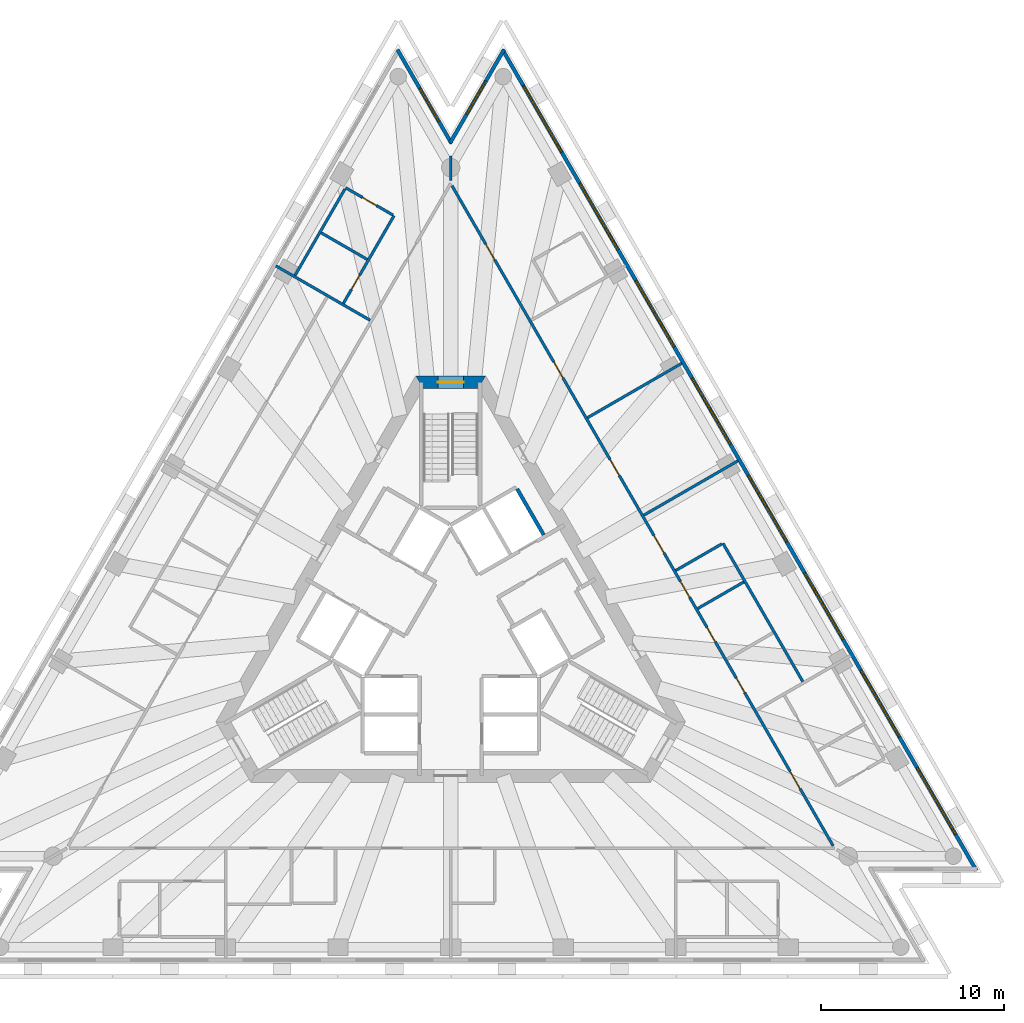
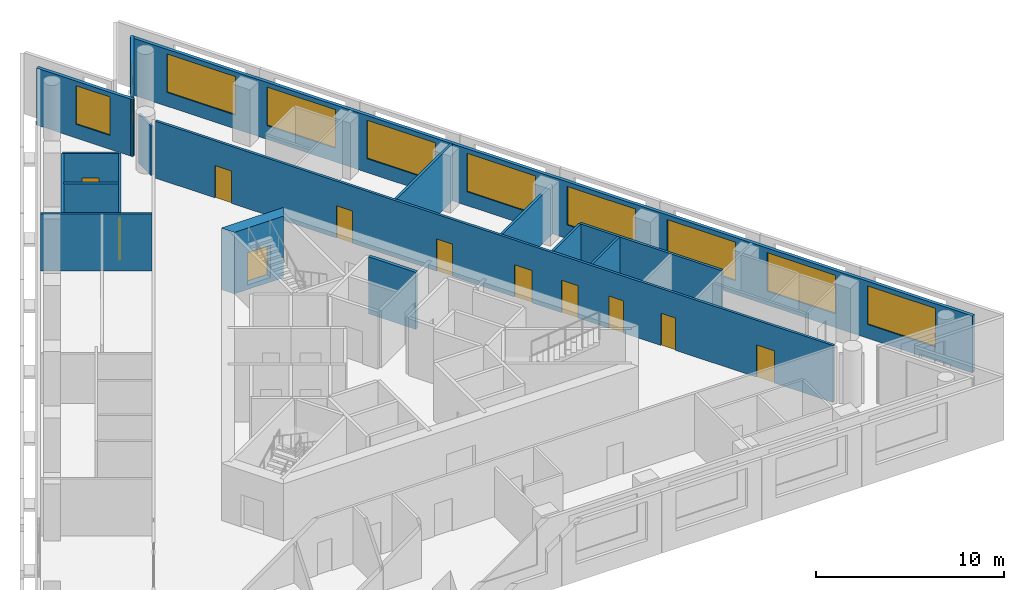
# One storey, part 6 of 9: 17 walls, 11 doors, 10 windows, 21 openings.
"""IFC4 building model written with IfcOpenShell, lengths in metres."""

from ifc_helpers import new_model, si_unit, direction, frame, frame_2d, origin, place, context, subcontext, project, spatial, polyline, rectangle, outline, extrude, material, layer, layer_set, layer_usage, type_object, element, fill, save


model = new_model("IFC4")

# Units and contexts
model_context = context("Model", 3, precision=1e-05, world=origin(), true_north=direction((0.0, 1.0)))
body_context = subcontext(model_context, "Body", "Model", "MODEL_VIEW")
ifc_project = project(units=[si_unit("LENGTHUNIT", "METRE"), si_unit("AREAUNIT", "SQUARE_METRE"), si_unit("VOLUMEUNIT", "CUBIC_METRE"), si_unit("PLANEANGLEUNIT", "RADIAN"), si_unit("MASSUNIT", "GRAM", prefix="KILO")], contexts=[model_context])

# Site, building, storey
site_placement = place(None, origin())
site = spatial("IfcSite", under=ifc_project, at=site_placement, CompositionType="ELEMENT")
building_placement = place(site_placement, origin())
building = spatial("IfcBuilding", under=site, at=building_placement, Name="Triada Interchange Tower", CompositionType="ELEMENT")
storey_placement = place(building_placement, frame((0.0, 0.0, 207.300048828125)))
storey = spatial("IfcBuildingStorey", under=building, at=storey_placement, Name="L48", CompositionType="ELEMENT", Elevation=207.300048828125)

# Wall
ifc_material_1 = material(Name="Concrete C30/37", Category="concrete")
ifc_layer_1 = layer(ifc_material_1, 0.199951171875)
ifc_layer_set_1 = layer_set([ifc_layer_1], Name="CORE WALL 200 EI 120")
wall_type_1 = type_object("IfcWallType", Name="CORE WALL 200 EI 120", PredefinedType="SOLIDWALL", material=ifc_layer_set_1)
wall_1_placement = place(storey_placement, frame((3.6259765625, 7.52001953125, 0.0), z_axis=(0.0, 0.0, 1.0), x_axis=(0.500060147554, -0.865990674793, 0.0)))
element("IfcWall", 1, at=wall_1_placement, inside=storey, type_object=wall_type_1, Name="Wall L47 71", PredefinedType="SOLIDWALL", context=body_context, shape_type="SweptSolid", body=[
    extrude(rectangle(XDim=2.899658203125, YDim=0.199951171875, at=frame_2d((1.44970703125, 0.0))), origin(), (0.0, 0.0, 1.0), 3.699951171875),
])

# Wall, opening, door
ifc_material_2 = material(Name="Concrete C50/60", Category="concrete")
ifc_layer_2 = layer(ifc_material_2, 0.699951171875)
ifc_layer_set_2 = layer_set([ifc_layer_2], Name="Core wall C 700")
wall_type_2 = type_object("IfcWallType", Name="Core wall C 700", PredefinedType="SHEAR", material=ifc_layer_set_2)
wall_2_placement = place(storey_placement, frame((1.702880859375, 13.35009765625, -0.300048828125), z_axis=(0.0, 0.0, 1.0), x_axis=(-1.0, 0.0, 0.0)))
wall_2 = element("IfcWall", 2, at=wall_2_placement, inside=storey, type_object=wall_type_2, Name="Core wall WC01 L48", PredefinedType="SHEAR", context=body_context, shape_type="SweptSolid", body=[
    extrude(outline(polyline([(-0.201904296875, -0.35009765625), (1.703125, -0.35009765625), (3.60791015625, -0.35009765625), (3.2041015625, 0.35009765625), (1.703125, 0.35009765625), (0.201904296875, 0.35009765625), (-0.201904296875, -0.35009765625)])), origin(), (0.0, 0.0, 1.0), 4.0),
])
opening_1_placement = place(wall_2_placement, frame((1.0029296875, 0.0, 0.300048828125)))
opening_1 = element("IfcOpeningElement", 3, at=opening_1_placement, cuts=wall_2, Name="Opening D47-44", PredefinedType="OPENING", context=body_context, shape_type="SweptSolid", body=[
    extrude(rectangle(XDim=1.39990234375, YDim=2.10009765625, at=frame_2d((0.699951171875, 1.050048828125))), frame((0.0, 0.360107421875, 0.0), z_axis=(0.0, -1.0, 0.0), x_axis=(1.0, 0.0, 0.0)), (0.0, 0.0, 1.0), 0.72021484375),
])
ifc_material_3 = material(Name="Steel S235 door leaf", Category="steel")
door_type_1 = type_object("IfcDoorType", Name="STAIR DOOR 1400 EI2 90-C5S200", OperationType="DOUBLE_DOOR_SINGLE_SWING", PredefinedType="DOOR", material=ifc_material_3)
door_1_placement = place(opening_1_placement, origin())
door_1 = element("IfcDoor", 4, at=door_1_placement, inside=storey, type_object=door_type_1, Name="Door D47-44 L48", OperationType="DOUBLE_DOOR_SINGLE_SWING", OverallHeight=2.10009765625, OverallWidth=1.39990234375, PredefinedType="DOOR", context=body_context, shape_type="SweptSolid", body=[
    extrude(rectangle(XDim=1.39990234375, YDim=2.10009765625, at=frame_2d((0.699951171875, 1.050048828125))), frame((0.0, 0.02490234375, 0.0), z_axis=(0.0, -1.0, 0.0), x_axis=(1.0, 0.0, 0.0)), (0.0, 0.0, 1.0), 0.050048828125),
])
fill(opening_1, door_1)

# Wall, openings, windows
ifc_material_4 = material(Name="Cement board")
ifc_layer_3 = layer(ifc_material_4, 0.02001953125, Name="Cement board cladding")
ifc_material_5 = material(Name="Sheathing board")
ifc_layer_4 = layer(ifc_material_5, 0.014892578125, Name="Sheathing board")
ifc_material_6 = material(Name="Mineral wool")
ifc_layer_5 = layer(ifc_material_6, 0.14990234375, Name="Mineral wool between steel studs")
ifc_material_7 = material(Name="Gypsum board")
ifc_layer_6 = layer(ifc_material_7, 0.014892578125, Name="Plasterboard lining")
ifc_layer_set_3 = layer_set([ifc_layer_3, ifc_layer_4, ifc_layer_5, ifc_layer_6], Name="External wall 200")
ifc_layer_usage = layer_usage(ifc_layer_set_3, "AXIS2", "POSITIVE", -0.10009765625)
wall_type_3 = type_object("IfcWallType", Name="External wall 200", PredefinedType="ELEMENTEDWALL", material=ifc_layer_set_3)
wall_3_placement = place(storey_placement, frame((28.7041015625, -13.31103515625, 0.0), z_axis=(0.0, 0.0, 1.0), x_axis=(-0.500010281129, 0.866019467891, 0.0)))
wall_3 = element("IfcWall", 5, at=wall_3_placement, inside=storey, type_object=wall_type_3, material=ifc_layer_usage, Name="External wall L48 NE", PredefinedType="ELEMENTEDWALL", context=body_context, shape_type="SweptSolid", body=[
    extrude(rectangle(XDim=51.7392578125, YDim=0.199951171875, at=frame_2d((25.86962890625, 0.0))), origin(), (0.0, 0.0, 1.0), 3.699951171875),
])
opening_2_placement = place(wall_3_placement, frame((2.27490234375, 0.0, 0.89990234375)))
opening_2 = element("IfcOpeningElement", 6, at=opening_2_placement, cuts=wall_3, Name="Opening WC21", PredefinedType="OPENING", context=body_context, shape_type="SweptSolid", body=[
    extrude(rectangle(XDim=4.199951171875, YDim=2.5, at=frame_2d((2.10009765625, 1.25))), frame((0.0, 0.10986328125, 0.0), z_axis=(0.0, -1.0, 0.0), x_axis=(1.0, 0.0, 0.0)), (0.0, 0.0, 1.0), 0.219970703125),
])
opening_3_placement = place(wall_3_placement, frame((8.4189453125, 0.0, 0.89990234375)))
opening_3 = element("IfcOpeningElement", 7, at=opening_3_placement, cuts=wall_3, Name="Opening WC22", PredefinedType="OPENING", context=body_context, shape_type="SweptSolid", body=[
    extrude(rectangle(XDim=4.199951171875, YDim=2.5, at=frame_2d((2.10009765625, 1.25))), frame((0.0, 0.10986328125, 0.0), z_axis=(0.0, -1.0, 0.0), x_axis=(1.0, 0.0, 0.0)), (0.0, 0.0, 1.0), 0.219970703125),
])
opening_4_placement = place(wall_3_placement, frame((14.56298828125, 0.0, 0.89990234375)))
opening_4 = element("IfcOpeningElement", 8, at=opening_4_placement, cuts=wall_3, Name="Opening WC23", PredefinedType="OPENING", context=body_context, shape_type="SweptSolid", body=[
    extrude(rectangle(XDim=4.199951171875, YDim=2.5, at=frame_2d((2.10009765625, 1.25))), frame((0.0, 0.10986328125, 0.0), z_axis=(0.0, -1.0, 0.0), x_axis=(1.0, 0.0, 0.0)), (0.0, 0.0, 1.0), 0.219970703125),
])
opening_5_placement = place(wall_3_placement, frame((20.70703125, 0.0, 0.89990234375)))
opening_5 = element("IfcOpeningElement", 9, at=opening_5_placement, cuts=wall_3, Name="Opening WC24", PredefinedType="OPENING", context=body_context, shape_type="SweptSolid", body=[
    extrude(rectangle(XDim=4.199951171875, YDim=2.5, at=frame_2d((2.10009765625, 1.25))), frame((0.0, 0.10986328125, 0.0), z_axis=(0.0, -1.0, 0.0), x_axis=(1.0, 0.0, 0.0)), (0.0, 0.0, 1.0), 0.219970703125),
])
opening_6_placement = place(wall_3_placement, frame((26.85205078125, 0.0, 0.89990234375)))
opening_6 = element("IfcOpeningElement", 10, at=opening_6_placement, cuts=wall_3, Name="Opening WC25", PredefinedType="OPENING", context=body_context, shape_type="SweptSolid", body=[
    extrude(rectangle(XDim=4.199951171875, YDim=2.5, at=frame_2d((2.10009765625, 1.25))), frame((0.0, 0.10986328125, 0.0), z_axis=(0.0, -1.0, 0.0), x_axis=(1.0, 0.0, 0.0)), (0.0, 0.0, 1.0), 0.219970703125),
])
opening_7_placement = place(wall_3_placement, frame((32.99609375, 0.0, 0.89990234375)))
opening_7 = element("IfcOpeningElement", 11, at=opening_7_placement, cuts=wall_3, Name="Opening WC26", PredefinedType="OPENING", context=body_context, shape_type="SweptSolid", body=[
    extrude(rectangle(XDim=4.199951171875, YDim=2.5, at=frame_2d((2.10009765625, 1.25))), frame((0.0, 0.10986328125, 0.0), z_axis=(0.0, -1.0, 0.0), x_axis=(1.0, 0.0, 0.0)), (0.0, 0.0, 1.0), 0.219970703125),
])
opening_8_placement = place(wall_3_placement, frame((39.139892578125, 0.0, 0.89990234375)))
opening_8 = element("IfcOpeningElement", 12, at=opening_8_placement, cuts=wall_3, Name="Opening WC27", PredefinedType="OPENING", context=body_context, shape_type="SweptSolid", body=[
    extrude(rectangle(XDim=4.199951171875, YDim=2.5, at=frame_2d((2.10009765625, 1.25))), frame((0.0, 0.10986328125, 0.0), z_axis=(0.0, -1.0, 0.0), x_axis=(1.0, 0.0, 0.0)), (0.0, 0.0, 1.0), 0.219970703125),
])
opening_9_placement = place(wall_3_placement, frame((45.283935546875, 0.0, 0.89990234375)))
opening_9 = element("IfcOpeningElement", 13, at=opening_9_placement, cuts=wall_3, Name="Opening WC28", PredefinedType="OPENING", context=body_context, shape_type="SweptSolid", body=[
    extrude(rectangle(XDim=4.199951171875, YDim=2.5, at=frame_2d((2.10009765625, 1.25))), frame((0.0, 0.10986328125, 0.0), z_axis=(0.0, -1.0, 0.0), x_axis=(1.0, 0.0, 0.0)), (0.0, 0.0, 1.0), 0.219970703125),
])
ifc_material_8 = material(Name="Double glazed aluminium window", Category="aluminium")
window_type_1 = type_object("IfcWindowType", Name="Ribbon window C face", PartitioningType="SINGLE_PANEL", PredefinedType="WINDOW", material=ifc_material_8)
window_1_placement = place(opening_2_placement, origin())
window_1 = element("IfcWindow", 14, at=window_1_placement, inside=storey, type_object=window_type_1, Name="Window L48 NE 1", OverallHeight=2.5, OverallWidth=4.199951171875, PartitioningType="SINGLE_PANEL", PredefinedType="WINDOW", context=body_context, shape_type="SweptSolid", body=[
    extrude(rectangle(XDim=4.199951171875, YDim=2.5, at=frame_2d((2.10009765625, 1.25))), frame((0.0, 0.030029296875, 0.0), z_axis=(0.0, -1.0, 0.0), x_axis=(1.0, 0.0, 0.0)), (0.0, 0.0, 1.0), 0.06005859375),
])
fill(opening_2, window_1)
window_2_placement = place(opening_3_placement, origin())
window_2 = element("IfcWindow", 15, at=window_2_placement, inside=storey, type_object=window_type_1, Name="Window L48 NE 2", OverallHeight=2.5, OverallWidth=4.199951171875, PartitioningType="SINGLE_PANEL", PredefinedType="WINDOW", context=body_context, shape_type="SweptSolid", body=[
    extrude(rectangle(XDim=4.199951171875, YDim=2.5, at=frame_2d((2.10009765625, 1.25))), frame((0.0, 0.030029296875, 0.0), z_axis=(0.0, -1.0, 0.0), x_axis=(1.0, 0.0, 0.0)), (0.0, 0.0, 1.0), 0.06005859375),
])
fill(opening_3, window_2)
window_3_placement = place(opening_4_placement, origin())
window_3 = element("IfcWindow", 16, at=window_3_placement, inside=storey, type_object=window_type_1, Name="Window L48 NE 3", OverallHeight=2.5, OverallWidth=4.199951171875, PartitioningType="SINGLE_PANEL", PredefinedType="WINDOW", context=body_context, shape_type="SweptSolid", body=[
    extrude(rectangle(XDim=4.199951171875, YDim=2.5, at=frame_2d((2.10009765625, 1.25))), frame((0.0, 0.030029296875, 0.0), z_axis=(0.0, -1.0, 0.0), x_axis=(1.0, 0.0, 0.0)), (0.0, 0.0, 1.0), 0.06005859375),
])
fill(opening_4, window_3)
window_4_placement = place(opening_5_placement, origin())
window_4 = element("IfcWindow", 17, at=window_4_placement, inside=storey, type_object=window_type_1, Name="Window L48 NE 4", OverallHeight=2.5, OverallWidth=4.199951171875, PartitioningType="SINGLE_PANEL", PredefinedType="WINDOW", context=body_context, shape_type="SweptSolid", body=[
    extrude(rectangle(XDim=4.199951171875, YDim=2.5, at=frame_2d((2.10009765625, 1.25))), frame((0.0, 0.030029296875, 0.0), z_axis=(0.0, -1.0, 0.0), x_axis=(1.0, 0.0, 0.0)), (0.0, 0.0, 1.0), 0.06005859375),
])
fill(opening_5, window_4)
window_5_placement = place(opening_6_placement, origin())
window_5 = element("IfcWindow", 18, at=window_5_placement, inside=storey, type_object=window_type_1, Name="Window L48 NE 5", OverallHeight=2.5, OverallWidth=4.199951171875, PartitioningType="SINGLE_PANEL", PredefinedType="WINDOW", context=body_context, shape_type="SweptSolid", body=[
    extrude(rectangle(XDim=4.199951171875, YDim=2.5, at=frame_2d((2.10009765625, 1.25))), frame((0.0, 0.030029296875, 0.0), z_axis=(0.0, -1.0, 0.0), x_axis=(1.0, 0.0, 0.0)), (0.0, 0.0, 1.0), 0.06005859375),
])
fill(opening_6, window_5)
window_6_placement = place(opening_7_placement, origin())
window_6 = element("IfcWindow", 19, at=window_6_placement, inside=storey, type_object=window_type_1, Name="Window L48 NE 6", OverallHeight=2.5, OverallWidth=4.199951171875, PartitioningType="SINGLE_PANEL", PredefinedType="WINDOW", context=body_context, shape_type="SweptSolid", body=[
    extrude(rectangle(XDim=4.199951171875, YDim=2.5, at=frame_2d((2.10009765625, 1.25))), frame((0.0, 0.030029296875, 0.0), z_axis=(0.0, -1.0, 0.0), x_axis=(1.0, 0.0, 0.0)), (0.0, 0.0, 1.0), 0.06005859375),
])
fill(opening_7, window_6)
window_7_placement = place(opening_8_placement, origin())
window_7 = element("IfcWindow", 20, at=window_7_placement, inside=storey, type_object=window_type_1, Name="Window L48 NE 7", OverallHeight=2.5, OverallWidth=4.199951171875, PartitioningType="SINGLE_PANEL", PredefinedType="WINDOW", context=body_context, shape_type="SweptSolid", body=[
    extrude(rectangle(XDim=4.199951171875, YDim=2.5, at=frame_2d((2.10009765625, 1.25))), frame((0.0, 0.030029296875, 0.0), z_axis=(0.0, -1.0, 0.0), x_axis=(1.0, 0.0, 0.0)), (0.0, 0.0, 1.0), 0.06005859375),
])
fill(opening_8, window_7)
window_8_placement = place(opening_9_placement, origin())
window_8 = element("IfcWindow", 21, at=window_8_placement, inside=storey, type_object=window_type_1, Name="Window L48 NE 8", OverallHeight=2.5, OverallWidth=4.199951171875, PartitioningType="SINGLE_PANEL", PredefinedType="WINDOW", context=body_context, shape_type="SweptSolid", body=[
    extrude(rectangle(XDim=4.199951171875, YDim=2.5, at=frame_2d((2.10009765625, 1.25))), frame((0.0, 0.030029296875, 0.0), z_axis=(0.0, -1.0, 0.0), x_axis=(1.0, 0.0, 0.0)), (0.0, 0.0, 1.0), 0.06005859375),
])
fill(opening_9, window_8)

# Wall, opening, window
wall_4_placement = place(storey_placement, frame((2.9140625, 31.512939453125, 0.0), z_axis=(0.0, 0.0, 1.0), x_axis=(-0.500061696128, -0.865989780578, 0.0)))
wall_4 = element("IfcWall", 22, at=wall_4_placement, inside=storey, type_object=wall_type_3, material=ifc_layer_usage, Name="External wall L48 N-1", PredefinedType="ELEMENTEDWALL", context=body_context, shape_type="SweptSolid", body=[
    extrude(rectangle(XDim=5.897216796875, YDim=0.199951171875, at=frame_2d((2.94873046875, 0.0))), origin(), (0.0, 0.0, 1.0), 3.699951171875),
])
opening_10_placement = place(wall_4_placement, frame((1.989990234375, 0.0, 0.89990234375)))
opening_10 = element("IfcOpeningElement", 23, at=opening_10_placement, cuts=wall_4, Name="Opening WC29", PredefinedType="OPENING", context=body_context, shape_type="SweptSolid", body=[
    extrude(rectangle(XDim=2.10009765625, YDim=2.5, at=frame_2d((1.050048828125, 1.25))), frame((0.0, 0.10986328125, 0.0), z_axis=(0.0, -1.0, 0.0), x_axis=(1.0, 0.0, 0.0)), (0.0, 0.0, 1.0), 0.219970703125),
])
window_type_2 = type_object("IfcWindowType", Name="Ribbon window C pocket", PartitioningType="SINGLE_PANEL", PredefinedType="WINDOW", material=ifc_material_8)
window_9_placement = place(opening_10_placement, origin())
window_9 = element("IfcWindow", 24, at=window_9_placement, inside=storey, type_object=window_type_2, Name="Window L48 N-1 1", OverallHeight=2.5, OverallWidth=2.10009765625, PartitioningType="SINGLE_PANEL", PredefinedType="WINDOW", context=body_context, shape_type="SweptSolid", body=[
    extrude(rectangle(XDim=2.10009765625, YDim=2.5, at=frame_2d((1.050048828125, 1.25))), frame((0.0, 0.030029296875, 0.0), z_axis=(0.0, -1.0, 0.0), x_axis=(1.0, 0.0, 0.0)), (0.0, 0.0, 1.0), 0.06005859375),
])
fill(opening_10, window_9)

wall_5_placement = place(storey_placement, frame((0.044921875, 26.388916015625, 0.0), z_axis=(0.0, 0.0, 1.0), x_axis=(-0.500043768782, 0.866000132391, 0.0)))
wall_5 = element("IfcWall", 25, at=wall_5_placement, inside=storey, type_object=wall_type_3, material=ifc_layer_usage, Name="External wall L48 N-2", PredefinedType="ELEMENTEDWALL", context=body_context, shape_type="SweptSolid", body=[
    extrude(rectangle(XDim=5.8974609375, YDim=0.199951171875, at=frame_2d((2.94873046875, 0.0))), origin(), (0.0, 0.0, 1.0), 3.699951171875),
])
opening_11_placement = place(wall_5_placement, frame((1.389892578125, 0.0, 0.89990234375)))
opening_11 = element("IfcOpeningElement", 26, at=opening_11_placement, cuts=wall_5, Name="Opening WC30", PredefinedType="OPENING", context=body_context, shape_type="SweptSolid", body=[
    extrude(rectangle(XDim=2.10009765625, YDim=2.5, at=frame_2d((1.050048828125, 1.25))), frame((0.0, 0.10986328125, 0.0), z_axis=(0.0, -1.0, 0.0), x_axis=(1.0, 0.0, 0.0)), (0.0, 0.0, 1.0), 0.219970703125),
])
window_10_placement = place(opening_11_placement, origin())
window_10 = element("IfcWindow", 27, at=window_10_placement, inside=storey, type_object=window_type_2, Name="Window L48 N-2 1", OverallHeight=2.5, OverallWidth=2.10009765625, PartitioningType="SINGLE_PANEL", PredefinedType="WINDOW", context=body_context, shape_type="SweptSolid", body=[
    extrude(rectangle(XDim=2.10009765625, YDim=2.5, at=frame_2d((1.050048828125, 1.25))), frame((0.0, 0.030029296875, 0.0), z_axis=(0.0, -1.0, 0.0), x_axis=(1.0, 0.0, 0.0)), (0.0, 0.0, 1.0), 0.06005859375),
])
fill(opening_11, window_10)

# Walls
ifc_material_9 = material(Name="Gypsum board partition")
ifc_layer_7 = layer(ifc_material_9, 0.14990234375)
ifc_layer_set_4 = layer_set([ifc_layer_7], Name="PARTITION 150 EI 180")
wall_type_4 = type_object("IfcWallType", Name="PARTITION 150 EI 180", PredefinedType="PARTITIONING", material=ifc_layer_set_4)
wall_6_placement = place(storey_placement, frame((10.5439453125, 6.0869140625, 0.0), z_axis=(0.0, 0.0, 1.0), x_axis=(0.866016753976, 0.500014981608, 0.0)))
element("IfcWall", 28, at=wall_6_placement, inside=storey, type_object=wall_type_4, Name="Wall L47 2", PredefinedType="PARTITIONING", context=body_context, shape_type="SweptSolid", body=[
    extrude(rectangle(XDim=5.947998046875, YDim=0.14990234375, at=frame_2d((2.97412109375, 0.0))), origin(), (0.0, 0.0, 1.0), 3.199951171875),
])
wall_7_placement = place(storey_placement, frame((-9.550048828125, 19.702880859375, 0.0), z_axis=(0.0, 0.0, 1.0), x_axis=(0.866064581528, -0.499932136017, 0.0)))
element("IfcWall", 29, at=wall_7_placement, inside=storey, type_object=wall_type_4, Name="Wall L47 15", PredefinedType="PARTITIONING", context=body_context, shape_type="SweptSolid", body=[
    extrude(rectangle(XDim=5.946533203125, YDim=0.14990234375, at=frame_2d((2.97314453125, 0.0))), origin(), (0.0, 0.0, 1.0), 3.699951171875),
])
wall_8_placement = place(storey_placement, frame((0.0, 24.35009765625, 0.0), z_axis=(0.0, 0.0, 1.0), x_axis=(0.0, 1.0, 0.0)))
element("IfcWall", 30, at=wall_8_placement, inside=storey, type_object=wall_type_4, Name="Wall L47 20", PredefinedType="PARTITIONING", context=body_context, shape_type="SweptSolid", body=[
    extrude(rectangle(XDim=1.3369140625, YDim=0.14990234375, at=frame_2d((0.66845703125, 0.0))), origin(), (0.0, 0.0, 1.0), 3.199951171875),
])

# Wall, openings, doors
wall_9_placement = place(storey_placement, frame((0.074951171875, 24.070068359375, 0.0), z_axis=(0.0, 0.0, 1.0), x_axis=(0.500006834213, -0.866021458014, 0.0)))
wall_9 = element("IfcWall", 31, at=wall_9_placement, inside=storey, type_object=wall_type_4, Name="Wall L47 22", PredefinedType="PARTITIONING", context=body_context, shape_type="SweptSolid", body=[
    extrude(rectangle(XDim=41.61572265625, YDim=0.14990234375, at=frame_2d((20.807861328125, 0.0))), origin(), (0.0, 0.0, 1.0), 3.699951171875),
])
opening_12_placement = place(wall_9_placement, frame((36.9150390625, 0.0, 0.0)))
opening_12 = element("IfcOpeningElement", 32, at=opening_12_placement, cuts=wall_9, Name="Opening D47-22", PredefinedType="OPENING", context=body_context, shape_type="SweptSolid", body=[
    extrude(rectangle(XDim=1.10009765625, YDim=2.10009765625, at=frame_2d((0.550048828125, 1.050048828125))), frame((0.0, 0.0849609375, 0.0), z_axis=(0.0, -1.0, 0.0), x_axis=(1.0, 0.0, 0.0)), (0.0, 0.0, 1.0), 0.169921875),
])
opening_13_placement = place(wall_9_placement, frame((22.0458984375, 0.0, 0.0)))
opening_13 = element("IfcOpeningElement", 33, at=opening_13_placement, cuts=wall_9, Name="Opening D47-25", PredefinedType="OPENING", context=body_context, shape_type="SweptSolid", body=[
    extrude(rectangle(XDim=1.10009765625, YDim=2.10009765625, at=frame_2d((0.550048828125, 1.050048828125))), frame((0.0, 0.0849609375, 0.0), z_axis=(0.0, -1.0, 0.0), x_axis=(1.0, 0.0, 0.0)), (0.0, 0.0, 1.0), 0.169921875),
])
opening_14_placement = place(wall_9_placement, frame((31.0458984375, 0.0, 0.0)))
opening_14 = element("IfcOpeningElement", 34, at=opening_14_placement, cuts=wall_9, Name="Opening D47-26", PredefinedType="OPENING", context=body_context, shape_type="SweptSolid", body=[
    extrude(rectangle(XDim=0.89990234375, YDim=2.10009765625, at=frame_2d((0.449951171875, 1.050048828125))), frame((0.0, 0.0849609375, 0.0), z_axis=(0.0, -1.0, 0.0), x_axis=(1.0, 0.0, 0.0)), (0.0, 0.0, 1.0), 0.169921875),
])
opening_15_placement = place(wall_9_placement, frame((27.845947265625, 0.0, 0.0)))
opening_15 = element("IfcOpeningElement", 35, at=opening_15_placement, cuts=wall_9, Name="Opening D47-27", PredefinedType="OPENING", context=body_context, shape_type="SweptSolid", body=[
    extrude(rectangle(XDim=0.89990234375, YDim=2.10009765625, at=frame_2d((0.449951171875, 1.050048828125))), frame((0.0, 0.0849609375, 0.0), z_axis=(0.0, -1.0, 0.0), x_axis=(1.0, 0.0, 0.0)), (0.0, 0.0, 1.0), 0.169921875),
])
opening_16_placement = place(wall_9_placement, frame((24.946044921875, 0.0, 0.0)))
opening_16 = element("IfcOpeningElement", 36, at=opening_16_placement, cuts=wall_9, Name="Opening D47-28", PredefinedType="OPENING", context=body_context, shape_type="SweptSolid", body=[
    extrude(rectangle(XDim=1.0, YDim=2.10009765625, at=frame_2d((0.5, 1.050048828125))), frame((0.0, 0.0849609375, 0.0), z_axis=(0.0, -1.0, 0.0), x_axis=(1.0, 0.0, 0.0)), (0.0, 0.0, 1.0), 0.169921875),
])
opening_17_placement = place(wall_9_placement, frame((17.258056640625, 0.0, 0.0)))
opening_17 = element("IfcOpeningElement", 37, at=opening_17_placement, cuts=wall_9, Name="Opening D47-29", PredefinedType="OPENING", context=body_context, shape_type="SweptSolid", body=[
    extrude(rectangle(XDim=1.0, YDim=2.10009765625, at=frame_2d((0.5, 1.050048828125))), frame((0.0, 0.0849609375, 0.0), z_axis=(0.0, -1.0, 0.0), x_axis=(1.0, 0.0, 0.0)), (0.0, 0.0, 1.0), 0.169921875),
])
opening_18_placement = place(wall_9_placement, frame((11.114013671875, 0.0, 0.0)))
opening_18 = element("IfcOpeningElement", 38, at=opening_18_placement, cuts=wall_9, Name="Opening D47-30", PredefinedType="OPENING", context=body_context, shape_type="SweptSolid", body=[
    extrude(rectangle(XDim=1.0, YDim=2.10009765625, at=frame_2d((0.5, 1.050048828125))), frame((0.0, 0.0849609375, 0.0), z_axis=(0.0, -1.0, 0.0), x_axis=(1.0, 0.0, 0.0)), (0.0, 0.0, 1.0), 0.169921875),
])
opening_19_placement = place(wall_9_placement, frame((3.6689453125, 0.0, 0.0)))
opening_19 = element("IfcOpeningElement", 39, at=opening_19_placement, cuts=wall_9, Name="Opening D47-31", PredefinedType="OPENING", context=body_context, shape_type="SweptSolid", body=[
    extrude(rectangle(XDim=1.0, YDim=2.10009765625, at=frame_2d((0.5, 1.050048828125))), frame((0.0, 0.0849609375, 0.0), z_axis=(0.0, -1.0, 0.0), x_axis=(1.0, 0.0, 0.0)), (0.0, 0.0, 1.0), 0.169921875),
])
door_type_2 = type_object("IfcDoorType", Name="ROOM DOOR 1000 EI2 90-C5S200", OperationType="NOTDEFINED", PredefinedType="DOOR", material=ifc_material_3)
door_2_placement = place(opening_16_placement, origin())
door_2 = element("IfcDoor", 40, at=door_2_placement, inside=storey, type_object=door_type_2, Name="Door D47-28 L48", OperationType="SINGLE_SWING_RIGHT", OverallHeight=2.10009765625, OverallWidth=1.0, PredefinedType="DOOR", context=body_context, shape_type="SweptSolid", body=[
    extrude(rectangle(XDim=1.0, YDim=2.10009765625, at=frame_2d((0.5, 1.050048828125))), frame((0.0, 0.02490234375, 0.0), z_axis=(0.0, -1.0, 0.0), x_axis=(1.0, 0.0, 0.0)), (0.0, 0.0, 1.0), 0.050048828125),
])
fill(opening_16, door_2)
door_3_placement = place(opening_17_placement, origin())
door_3 = element("IfcDoor", 41, at=door_3_placement, inside=storey, type_object=door_type_2, Name="Door D47-29 L48", OperationType="SINGLE_SWING_LEFT", OverallHeight=2.10009765625, OverallWidth=1.0, PredefinedType="DOOR", context=body_context, shape_type="SweptSolid", body=[
    extrude(rectangle(XDim=1.0, YDim=2.10009765625, at=frame_2d((0.5, 1.050048828125))), frame((0.0, 0.02490234375, 0.0), z_axis=(0.0, -1.0, 0.0), x_axis=(1.0, 0.0, 0.0)), (0.0, 0.0, 1.0), 0.050048828125),
])
fill(opening_17, door_3)
door_4_placement = place(opening_18_placement, origin())
door_4 = element("IfcDoor", 42, at=door_4_placement, inside=storey, type_object=door_type_2, Name="Door D47-30 L48", OperationType="SINGLE_SWING_LEFT", OverallHeight=2.10009765625, OverallWidth=1.0, PredefinedType="DOOR", context=body_context, shape_type="SweptSolid", body=[
    extrude(rectangle(XDim=1.0, YDim=2.10009765625, at=frame_2d((0.5, 1.050048828125))), frame((0.0, 0.02490234375, 0.0), z_axis=(0.0, -1.0, 0.0), x_axis=(1.0, 0.0, 0.0)), (0.0, 0.0, 1.0), 0.050048828125),
])
fill(opening_18, door_4)
door_5_placement = place(opening_19_placement, origin())
door_5 = element("IfcDoor", 43, at=door_5_placement, inside=storey, type_object=door_type_2, Name="Door D47-31 L48", OperationType="SINGLE_SWING_LEFT", OverallHeight=2.10009765625, OverallWidth=1.0, PredefinedType="DOOR", context=body_context, shape_type="SweptSolid", body=[
    extrude(rectangle(XDim=1.0, YDim=2.10009765625, at=frame_2d((0.5, 1.050048828125))), frame((0.0, 0.02490234375, 0.0), z_axis=(0.0, -1.0, 0.0), x_axis=(1.0, 0.0, 0.0)), (0.0, 0.0, 1.0), 0.050048828125),
])
fill(opening_19, door_5)
door_type_3 = type_object("IfcDoorType", Name="ROOM DOOR 900 EI2 90-C5S200", OperationType="NOTDEFINED", PredefinedType="DOOR", material=ifc_material_3)
door_6_placement = place(opening_14_placement, origin())
door_6 = element("IfcDoor", 44, at=door_6_placement, inside=storey, type_object=door_type_3, Name="Door D47-26 L48", OperationType="SINGLE_SWING_RIGHT", OverallHeight=2.10009765625, OverallWidth=0.89990234375, PredefinedType="DOOR", context=body_context, shape_type="SweptSolid", body=[
    extrude(rectangle(XDim=0.89990234375, YDim=2.10009765625, at=frame_2d((0.449951171875, 1.050048828125))), frame((0.0, 0.02490234375, 0.0), z_axis=(0.0, -1.0, 0.0), x_axis=(1.0, 0.0, 0.0)), (0.0, 0.0, 1.0), 0.050048828125),
])
fill(opening_14, door_6)
door_7_placement = place(opening_15_placement, origin())
door_7 = element("IfcDoor", 45, at=door_7_placement, inside=storey, type_object=door_type_3, Name="Door D47-27 L48", OperationType="SINGLE_SWING_RIGHT", OverallHeight=2.10009765625, OverallWidth=0.89990234375, PredefinedType="DOOR", context=body_context, shape_type="SweptSolid", body=[
    extrude(rectangle(XDim=0.89990234375, YDim=2.10009765625, at=frame_2d((0.449951171875, 1.050048828125))), frame((0.0, 0.02490234375, 0.0), z_axis=(0.0, -1.0, 0.0), x_axis=(1.0, 0.0, 0.0)), (0.0, 0.0, 1.0), 0.050048828125),
])
fill(opening_15, door_7)
door_type_4 = type_object("IfcDoorType", Name="TENANCY ENTRANCE DOOR 1100 EI2 90-C5S200", OperationType="NOTDEFINED", PredefinedType="DOOR", material=ifc_material_3)
door_8_placement = place(opening_12_placement, origin())
door_8 = element("IfcDoor", 46, at=door_8_placement, inside=storey, type_object=door_type_4, Name="Door D47-22 L48", OperationType="SINGLE_SWING_RIGHT", OverallHeight=2.10009765625, OverallWidth=1.10009765625, PredefinedType="DOOR", context=body_context, shape_type="SweptSolid", body=[
    extrude(rectangle(XDim=1.10009765625, YDim=2.10009765625, at=frame_2d((0.550048828125, 1.050048828125))), frame((0.0, 0.02490234375, 0.0), z_axis=(0.0, -1.0, 0.0), x_axis=(1.0, 0.0, 0.0)), (0.0, 0.0, 1.0), 0.050048828125),
])
fill(opening_12, door_8)
door_9_placement = place(opening_13_placement, origin())
door_9 = element("IfcDoor", 47, at=door_9_placement, inside=storey, type_object=door_type_4, Name="Door D47-25 L48", OperationType="SINGLE_SWING_LEFT", OverallHeight=2.10009765625, OverallWidth=1.10009765625, PredefinedType="DOOR", context=body_context, shape_type="SweptSolid", body=[
    extrude(rectangle(XDim=1.10009765625, YDim=2.10009765625, at=frame_2d((0.550048828125, 1.050048828125))), frame((0.0, 0.02490234375, 0.0), z_axis=(0.0, -1.0, 0.0), x_axis=(1.0, 0.0, 0.0)), (0.0, 0.0, 1.0), 0.050048828125),
])
fill(opening_13, door_9)

# Walls
wall_10_placement = place(storey_placement, frame((7.471923828125, 11.408935546875, 0.0), z_axis=(0.0, 0.0, 1.0), x_axis=(0.866046805426, 0.499962929437, 0.0)))
element("IfcWall", 48, at=wall_10_placement, inside=storey, type_object=wall_type_4, Name="Wall L47 24", PredefinedType="PARTITIONING", context=body_context, shape_type="SweptSolid", body=[
    extrude(rectangle(XDim=5.94677734375, YDim=0.14990234375, at=frame_2d((2.973388671875, 0.0))), origin(), (0.0, 0.0, 1.0), 3.699951171875),
])
wall_11_placement = place(storey_placement, frame((14.864990234375, 4.553955078125, 0.0), z_axis=(0.0, 0.0, 1.0), x_axis=(0.500054279689, -0.865994063124, 0.0)))
element("IfcWall", 49, at=wall_11_placement, inside=storey, type_object=wall_type_4, Name="Wall L47 25", PredefinedType="PARTITIONING", context=body_context, shape_type="SweptSolid", body=[
    extrude(rectangle(XDim=8.72509765625, YDim=0.14990234375, at=frame_2d((4.362548828125, 0.0))), origin(), (0.0, 0.0, 1.0), 3.699951171875),
])
wall_12_placement = place(storey_placement, frame((12.2880859375, 3.06591796875, 0.0), z_axis=(0.0, 0.0, 1.0), x_axis=(0.865976813117, 0.500084152062, 0.0)))
element("IfcWall", 50, at=wall_12_placement, inside=storey, type_object=wall_type_4, Name="Wall L47 26", PredefinedType="PARTITIONING", context=body_context, shape_type="SweptSolid", body=[
    extrude(rectangle(XDim=2.90185546875, YDim=0.14990234375, at=frame_2d((1.450927734375, 0.0))), origin(), (0.0, 0.0, 1.0), 3.699951171875),
])
wall_13_placement = place(storey_placement, frame((13.488037109375, 0.988037109375, 0.0), z_axis=(0.0, 0.0, 1.0), x_axis=(0.866158966803, 0.499768590677, 0.0)))
element("IfcWall", 51, at=wall_13_placement, inside=storey, type_object=wall_type_4, Name="Wall L47 28", PredefinedType="PARTITIONING", context=body_context, shape_type="SweptSolid", body=[
    extrude(rectangle(XDim=2.901123046875, YDim=0.14990234375, at=frame_2d((1.45068359375, 0.0))), origin(), (0.0, 0.0, 1.0), 3.699951171875),
])

# Wall, opening, door
ifc_layer_8 = layer(ifc_material_9, 0.14990234375)
ifc_layer_set_5 = layer_set([ifc_layer_8], Name="PARTITION 150 EI 90")
wall_type_5 = type_object("IfcWallType", Name="PARTITION 150 EI 90", PredefinedType="PARTITIONING", material=ifc_layer_set_5)
wall_14_placement = place(storey_placement, frame((-5.85595703125, 17.656982421875, 0.0), z_axis=(0.0, 0.0, 1.0), x_axis=(0.499917542299, 0.866073005526, 0.0)))
wall_14 = element("IfcWall", 52, at=wall_14_placement, inside=storey, type_object=wall_type_5, Name="Wall L47 39", PredefinedType="PARTITIONING", context=body_context, shape_type="SweptSolid", body=[
    extrude(rectangle(XDim=5.52490234375, YDim=0.14990234375, at=frame_2d((2.762451171875, 0.0))), origin(), (0.0, 0.0, 1.0), 3.699951171875),
])
opening_20_placement = place(wall_14_placement, frame((0.875, 0.0, 0.0)))
opening_20 = element("IfcOpeningElement", 53, at=opening_20_placement, cuts=wall_14, Name="Opening D47-34", PredefinedType="OPENING", context=body_context, shape_type="SweptSolid", body=[
    extrude(rectangle(XDim=0.89990234375, YDim=2.10009765625, at=frame_2d((0.449951171875, 1.050048828125))), frame((0.0, 0.0849609375, 0.0), z_axis=(0.0, -1.0, 0.0), x_axis=(1.0, 0.0, 0.0)), (0.0, 0.0, 1.0), 0.169921875),
])
door_type_5 = type_object("IfcDoorType", Name="ROOM DOOR 900 EI2 45-C5S200", OperationType="NOTDEFINED", PredefinedType="DOOR", material=ifc_material_3)
door_10_placement = place(opening_20_placement, origin())
door_10 = element("IfcDoor", 54, at=door_10_placement, inside=storey, type_object=door_type_5, Name="Door D47-34 L48", OperationType="SINGLE_SWING_LEFT", OverallHeight=2.10009765625, OverallWidth=0.89990234375, PredefinedType="DOOR", context=body_context, shape_type="SweptSolid", body=[
    extrude(rectangle(XDim=0.89990234375, YDim=2.10009765625, at=frame_2d((0.449951171875, 1.050048828125))), frame((0.0, 0.02490234375, 0.0), z_axis=(0.0, -1.0, 0.0), x_axis=(1.0, 0.0, 0.0)), (0.0, 0.0, 1.0), 0.050048828125),
])
fill(opening_20, door_10)

wall_15_placement = place(storey_placement, frame((-5.736083984375, 23.967041015625, 0.0), z_axis=(0.0, 0.0, 1.0), x_axis=(0.866007976609, -0.500030183538, 0.0)))
wall_15 = element("IfcWall", 55, at=wall_15_placement, inside=storey, type_object=wall_type_5, Name="Wall L47 40", PredefinedType="PARTITIONING", context=body_context, shape_type="SweptSolid", body=[
    extrude(rectangle(XDim=2.975830078125, YDim=0.14990234375, at=frame_2d((1.48779296875, 0.0))), origin(), (0.0, 0.0, 1.0), 3.699951171875),
])
opening_21_placement = place(wall_15_placement, frame((1.050048828125, 0.0, 0.0)))
opening_21 = element("IfcOpeningElement", 56, at=opening_21_placement, cuts=wall_15, Name="Opening D47-35", PredefinedType="OPENING", context=body_context, shape_type="SweptSolid", body=[
    extrude(rectangle(XDim=0.89990234375, YDim=2.10009765625, at=frame_2d((0.449951171875, 1.050048828125))), frame((0.0, 0.0849609375, 0.0), z_axis=(0.0, -1.0, 0.0), x_axis=(1.0, 0.0, 0.0)), (0.0, 0.0, 1.0), 0.169921875),
])
door_11_placement = place(opening_21_placement, origin())
door_11 = element("IfcDoor", 57, at=door_11_placement, inside=storey, type_object=door_type_5, Name="Door D47-35 L48", OperationType="SINGLE_SWING_RIGHT", OverallHeight=2.10009765625, OverallWidth=0.89990234375, PredefinedType="DOOR", context=body_context, shape_type="SweptSolid", body=[
    extrude(rectangle(XDim=0.89990234375, YDim=2.10009765625, at=frame_2d((0.449951171875, 1.050048828125))), frame((0.0, 0.02490234375, 0.0), z_axis=(0.0, -1.0, 0.0), x_axis=(1.0, 0.0, 0.0)), (0.0, 0.0, 1.0), 0.050048828125),
])
fill(opening_21, door_11)

# Walls
wall_16_placement = place(storey_placement, frame((-8.498046875, 19.181884765625, 0.0), z_axis=(0.0, 0.0, 1.0), x_axis=(0.499983534837, 0.866034909742, 0.0)))
element("IfcWall", 58, at=wall_16_placement, inside=storey, type_object=wall_type_5, Name="Wall L47 41", PredefinedType="PARTITIONING", context=body_context, shape_type="SweptSolid", body=[
    extrude(rectangle(XDim=5.450439453125, YDim=0.14990234375, at=frame_2d((2.72509765625, 0.0))), origin(), (0.0, 0.0, 1.0), 3.699951171875),
])
wall_17_placement = place(storey_placement, frame((-7.071044921875, 21.5048828125, 0.0), z_axis=(0.0, 0.0, 1.0), x_axis=(0.865929066901, -0.500166823267, 0.0)))
element("IfcWall", 59, at=wall_17_placement, inside=storey, type_object=wall_type_5, Name="Wall L47 42", PredefinedType="PARTITIONING", context=body_context, shape_type="SweptSolid", body=[
    extrude(rectangle(XDim=2.90087890625, YDim=0.14990234375, at=frame_2d((1.450439453125, 0.0))), origin(), (0.0, 0.0, 1.0), 3.699951171875),
])

save(model, "model.ifc")
